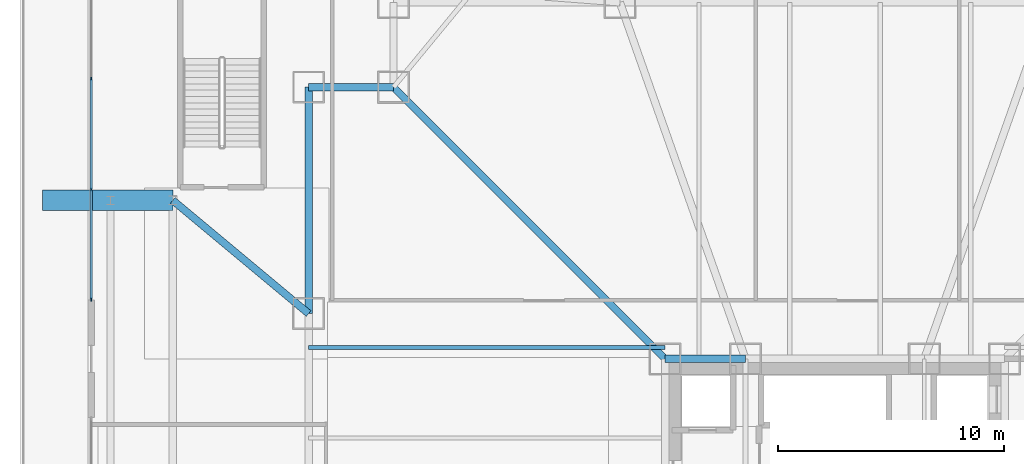
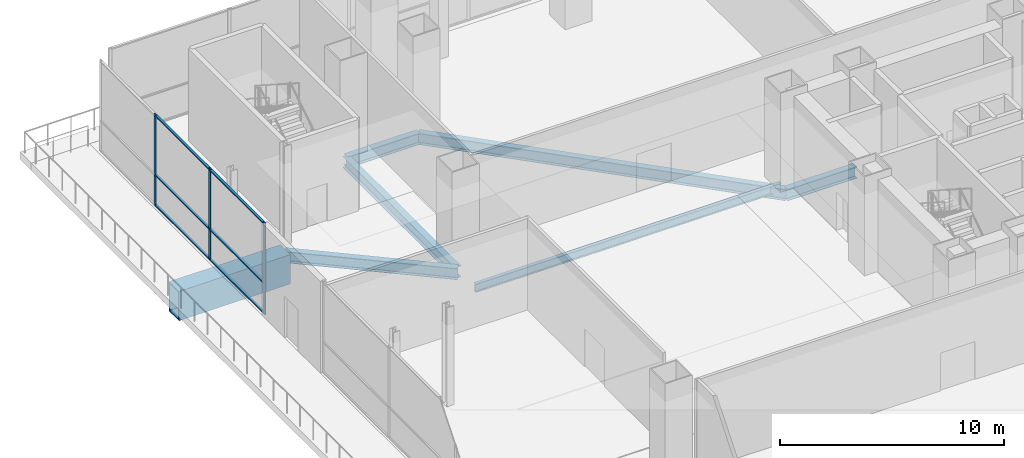
# One storey, part 12 of 36: 9 members, 7 beams, 1 element without a shape of its own.
"""IFC4 building model written with IfcOpenShell, lengths in metres."""

from ifc_helpers import new_model, si_unit, direction, frame, origin, origin_2d, place, context, subcontext, project, spatial, rectangle, hollow_rectangle, i_section, extrude, material, layer, layer_set, material_profile, profile_set, type_object, element, aggregate, save


model = new_model("IFC4")

# Units and contexts
model_context = context("Model", 3, precision=1e-05, world=origin(), true_north=direction((0.0, 1.0)))
body_context = subcontext(model_context, "Body", "Model", "MODEL_VIEW")
ifc_project = project(units=[si_unit("LENGTHUNIT", "METRE"), si_unit("AREAUNIT", "SQUARE_METRE"), si_unit("VOLUMEUNIT", "CUBIC_METRE"), si_unit("PLANEANGLEUNIT", "RADIAN"), si_unit("MASSUNIT", "GRAM", prefix="KILO")], contexts=[model_context])

# Site, building, storey
site_placement = place(None, origin())
site = spatial("IfcSite", under=ifc_project, at=site_placement, CompositionType="ELEMENT")
building_placement = place(site_placement, origin())
building = spatial("IfcBuilding", under=site, at=building_placement, Name="Trevonay Congress Spire", CompositionType="ELEMENT")
storey_placement = place(building_placement, frame((0.0, 0.0, 16.199951171875)))
storey = spatial("IfcBuildingStorey", under=building, at=storey_placement, Name="L03", CompositionType="ELEMENT", Elevation=16.199951171875)

# Beams
ifc_material_1 = material(Name="Steel ASTM A572 Grade 50", Category="steel")
ifc_material_profile_1 = material_profile(ifc_material_1, i_section(OverallWidth=0.324951171875, OverallDepth=0.615966796875, WebThickness=0.013916015625, FlangeThickness=0.021484375, FilletRadius=0.01806640625, at=origin_2d()), Name="W610x174")
ifc_profile_set_1 = profile_set([ifc_material_profile_1], Name="Steel ASTM A572 Grade 50")
beam_type_1 = type_object("IfcBeamType", Name="BM-GIRD-W610X174", PredefinedType="BEAM", material=ifc_profile_set_1)
beam_1_placement = place(storey_placement, frame((-23.25, 9.5, -0.7080078125), z_axis=(0.0, 1.0, 0.0), x_axis=(-1.0, 0.0, 0.0)))
element("IfcBeam", 1, at=beam_1_placement, inside=storey, type_object=beam_type_1, Name="L03 structural beam BM-L03-MW3", PredefinedType="BEAM", context=body_context, shape_type="SweptSolid", body=[
    extrude(i_section(OverallWidth=0.324951171875, OverallDepth=0.615966796875, WebThickness=0.013916015625, FlangeThickness=0.021484375, FilletRadius=0.01806640625, at=origin_2d()), origin(), (0.0, 0.0, 1.0), 10.0),
])
beam_2_placement = place(storey_placement, frame((-23.25, 19.5, -0.7080078125), z_axis=(1.0, 0.0, 0.0), x_axis=(0.0, 1.0, 0.0)))
element("IfcBeam", 2, at=beam_2_placement, inside=storey, type_object=beam_type_1, Name="L03 structural beam BM-L03-CWN", PredefinedType="BEAM", context=body_context, shape_type="SweptSolid", body=[
    extrude(i_section(OverallWidth=0.324951171875, OverallDepth=0.615966796875, WebThickness=0.013916015625, FlangeThickness=0.021484375, FilletRadius=0.01806640625, at=origin_2d()), origin(), (0.0, 0.0, 1.0), 3.75),
])
beam_3_placement = place(storey_placement, frame((-7.5, 7.5, -0.7080078125), z_axis=(-0.707106781187, 0.707106781187, 0.0), x_axis=(-0.707106781187, -0.707106781187, 0.0)))
element("IfcBeam", 3, at=beam_3_placement, inside=storey, type_object=beam_type_1, Name="L03 structural beam BM-L03-RAD-NW", PredefinedType="BEAM", context=body_context, shape_type="SweptSolid", body=[
    extrude(i_section(OverallWidth=0.324951171875, OverallDepth=0.615966796875, WebThickness=0.013916015625, FlangeThickness=0.021484375, FilletRadius=0.01806640625, at=origin_2d()), origin(), (0.0, 0.0, 1.0), 16.970458984375),
])
beam_4_placement = place(storey_placement, frame((-23.25, 9.5, -0.7080078125), z_axis=(-0.768221279597, 0.640184399664, 0.0), x_axis=(-0.640184399664, -0.768221279597, 0.0)))
element("IfcBeam", 4, at=beam_4_placement, inside=storey, type_object=beam_type_1, Name="L03 structural beam BM-L03-POD-WT2", PredefinedType="BEAM", context=body_context, shape_type="SweptSolid", body=[
    extrude(i_section(OverallWidth=0.324951171875, OverallDepth=0.615966796875, WebThickness=0.013916015625, FlangeThickness=0.021484375, FilletRadius=0.01806640625, at=origin_2d()), origin(), (0.0, 0.0, 1.0), 7.810302734375),
])
ifc_material_profile_2 = material_profile(ifc_material_1, i_section(OverallWidth=0.3291015625, OverallDepth=0.635009765625, WebThickness=0.017822265625, FlangeThickness=0.031005859375, FilletRadius=0.01806640625, at=origin_2d()), Name="W610x241")
ifc_profile_set_2 = profile_set([ifc_material_profile_2], Name="Steel ASTM A572 Grade 50")
beam_type_2 = type_object("IfcBeamType", Name="BM-GIRD-W610X241", PredefinedType="BEAM", material=ifc_profile_set_2)
beam_5_placement = place(storey_placement, frame((-7.5, 7.5, -0.717529296875), z_axis=(1.0, 0.0, 0.0), x_axis=(0.0, 1.0, 0.0)))
element("IfcBeam", 5, at=beam_5_placement, inside=storey, type_object=beam_type_2, Name="L03 structural beam BM-L03-CR-N1", PredefinedType="BEAM", context=body_context, shape_type="SweptSolid", body=[
    extrude(i_section(OverallWidth=0.3291015625, OverallDepth=0.635009765625, WebThickness=0.017822265625, FlangeThickness=0.031005859375, FilletRadius=0.01806640625, at=origin_2d()), origin(), (0.0, 0.0, 1.0), 3.550048828125),
])
ifc_material_profile_3 = material_profile(ifc_material_1, hollow_rectangle(XDim=0.89990234375, YDim=1.60009765625, WallThickness=0.06005859375, at=origin_2d()), Name="BOX 1600x900x60")
ifc_profile_set_3 = profile_set([ifc_material_profile_3], Name="Steel ASTM A572 Grade 50")
beam_type_3 = type_object("IfcBeamType", Name="BM-XFER-BOX1600", PredefinedType="BEAM", material=ifc_profile_set_3)
beam_6_placement = place(storey_placement, frame((-29.25, 14.5, -1.199951171875), z_axis=(-1.0, 0.0, 0.0), x_axis=(0.0, -1.0, 0.0)))
element("IfcBeam", 6, at=beam_6_placement, inside=storey, type_object=beam_type_3, Name="L03 structural beam BM-L03-EXW-N", PredefinedType="BEAM", context=body_context, shape_type="SweptSolid", body=[
    extrude(hollow_rectangle(XDim=0.89990234375, YDim=1.60009765625, WallThickness=0.06005859375, at=origin_2d()), origin(), (0.0, 0.0, 1.0), 5.75),
])

# Curtain wall, members
ifc_material_2 = material(Name="Pale Anodised Aluminium EN AW-6063-T6", Category="aluminium")
ifc_layer = layer(ifc_material_2, 0.179931640625, Name="Pale Anodised Aluminium EN AW-6063-T6")
ifc_layer_set = layer_set([ifc_layer], Name="Pale Anodised Aluminium EN AW-6063-T6")
curtain_wall_type = type_object("IfcCurtainWallType", Name="CW-SYS01-PODIUM-PALE-METAL", PredefinedType="NOTDEFINED", material=ifc_layer_set)
curtain_wall_placement = place(storey_placement, origin())
curtain_wall = element("IfcCurtainWall", 7, at=curtain_wall_placement, inside=storey, type_object=curtain_wall_type, Name="L03 W2 podium curtain wall", PredefinedType="NOTDEFINED")
ifc_material_profile_4 = material_profile(ifc_material_2, rectangle(XDim=0.06005859375, YDim=0.159912109375, at=origin_2d()), Name="CW-MULLION-160-ALUMINIUM")
ifc_profile_set_4 = profile_set([ifc_material_profile_4], Name="Pale Anodised Aluminium EN AW-6063-T6")
member_type_1 = type_object("IfcMemberType", Name="CW-MULLION-160-ALUMINIUM", PredefinedType="MULLION", material=ifc_profile_set_4)
member_1_placement = place(storey_placement, frame((-32.85009765625, 10.1298828125, 0.0), z_axis=(0.0, 0.0, 1.0), x_axis=(-1.0, 0.0, 0.0)))
member_1 = element("IfcMember", 8, at=member_1_placement, type_object=member_type_1, Name="CW01 mullion 1", PredefinedType="MULLION", context=body_context, shape_type="SweptSolid", body=[
    extrude(rectangle(XDim=0.06005859375, YDim=0.159912109375, at=origin_2d()), origin(), (0.0, 0.0, 1.0), 5.0),
])
member_2_placement = place(storey_placement, frame((-32.85009765625, 14.9833984375, 0.0), z_axis=(0.0, 0.0, 1.0), x_axis=(-1.0, 0.0, 0.0)))
member_2 = element("IfcMember", 9, at=member_2_placement, type_object=member_type_1, Name="CW01 mullion 2", PredefinedType="MULLION", context=body_context, shape_type="SweptSolid", body=[
    extrude(rectangle(XDim=0.06005859375, YDim=0.159912109375, at=origin_2d()), origin(), (0.0, 0.0, 1.0), 5.0),
])
member_3_placement = place(storey_placement, frame((-32.85009765625, 19.86669921875, 0.0), z_axis=(0.0, 0.0, 1.0), x_axis=(-1.0, 0.0, 0.0)))
member_3 = element("IfcMember", 10, at=member_3_placement, type_object=member_type_1, Name="CW01 mullion 3", PredefinedType="MULLION", context=body_context, shape_type="SweptSolid", body=[
    extrude(rectangle(XDim=0.06005859375, YDim=0.159912109375, at=origin_2d()), origin(), (0.0, 0.0, 1.0), 5.0),
])
ifc_material_profile_5 = material_profile(ifc_material_2, rectangle(XDim=0.1201171875, YDim=0.06005859375, at=origin_2d()), Name="CW-TRANSOM-120-ALUMINIUM")
ifc_profile_set_5 = profile_set([ifc_material_profile_5], Name="Pale Anodised Aluminium EN AW-6063-T6")
member_type_2 = type_object("IfcMemberType", Name="CW-TRANSOM-120-ALUMINIUM", PredefinedType="USERDEFINED", material=ifc_profile_set_5)
member_4_placement = place(storey_placement, frame((-32.85009765625, 10.159912109375, 0.06005859375), z_axis=(0.0, 1.0, 0.0), x_axis=(-1.0, 0.0, 0.0)))
member_4 = element("IfcMember", 11, at=member_4_placement, type_object=member_type_2, Name="CW01 transom 1.1", ObjectType="TRANSOM", PredefinedType="USERDEFINED", context=body_context, shape_type="SweptSolid", body=[
    extrude(rectangle(XDim=0.1201171875, YDim=0.06005859375, at=origin_2d()), origin(), (0.0, 0.0, 1.0), 4.79345703125),
])
member_5_placement = place(storey_placement, frame((-32.85009765625, 10.159912109375, 1.699951171875), z_axis=(0.0, 1.0, 0.0), x_axis=(-1.0, 0.0, 0.0)))
member_5 = element("IfcMember", 12, at=member_5_placement, type_object=member_type_2, Name="CW01 transom 1.2", ObjectType="TRANSOM", PredefinedType="USERDEFINED", context=body_context, shape_type="SweptSolid", body=[
    extrude(rectangle(XDim=0.1201171875, YDim=0.06005859375, at=origin_2d()), origin(), (0.0, 0.0, 1.0), 4.79345703125),
])
member_6_placement = place(storey_placement, frame((-32.85009765625, 10.159912109375, 4.93994140625), z_axis=(0.0, 1.0, 0.0), x_axis=(-1.0, 0.0, 0.0)))
member_6 = element("IfcMember", 13, at=member_6_placement, type_object=member_type_2, Name="CW01 transom 1.3", ObjectType="TRANSOM", PredefinedType="USERDEFINED", context=body_context, shape_type="SweptSolid", body=[
    extrude(rectangle(XDim=0.1201171875, YDim=0.06005859375, at=origin_2d()), origin(), (0.0, 0.0, 1.0), 4.79345703125),
])
member_7_placement = place(storey_placement, frame((-32.85009765625, 15.013427734375, 0.06005859375), z_axis=(0.0, 1.0, 0.0), x_axis=(-1.0, 0.0, 0.0)))
member_7 = element("IfcMember", 14, at=member_7_placement, type_object=member_type_2, Name="CW01 transom 2.1", ObjectType="TRANSOM", PredefinedType="USERDEFINED", context=body_context, shape_type="SweptSolid", body=[
    extrude(rectangle(XDim=0.1201171875, YDim=0.06005859375, at=origin_2d()), origin(), (0.0, 0.0, 1.0), 4.8232421875),
])
member_8_placement = place(storey_placement, frame((-32.85009765625, 15.013427734375, 1.699951171875), z_axis=(0.0, 1.0, 0.0), x_axis=(-1.0, 0.0, 0.0)))
member_8 = element("IfcMember", 15, at=member_8_placement, type_object=member_type_2, Name="CW01 transom 2.2", ObjectType="TRANSOM", PredefinedType="USERDEFINED", context=body_context, shape_type="SweptSolid", body=[
    extrude(rectangle(XDim=0.1201171875, YDim=0.06005859375, at=origin_2d()), origin(), (0.0, 0.0, 1.0), 4.8232421875),
])
member_9_placement = place(storey_placement, frame((-32.85009765625, 15.013427734375, 4.93994140625), z_axis=(0.0, 1.0, 0.0), x_axis=(-1.0, 0.0, 0.0)))
member_9 = element("IfcMember", 16, at=member_9_placement, type_object=member_type_2, Name="CW01 transom 2.3", ObjectType="TRANSOM", PredefinedType="USERDEFINED", context=body_context, shape_type="SweptSolid", body=[
    extrude(rectangle(XDim=0.1201171875, YDim=0.06005859375, at=origin_2d()), origin(), (0.0, 0.0, 1.0), 4.8232421875),
])
aggregate(curtain_wall, [member_1, member_2, member_3, member_4, member_5, member_6, member_7, member_8, member_9])

# Beam
ifc_material_profile_6 = material_profile(ifc_material_1, i_section(OverallWidth=0.18994140625, OverallDepth=0.45703125, WebThickness=0.009033203125, FlangeThickness=0.014404296875, FilletRadius=0.013916015625, at=origin_2d()), Name="W460x74")
ifc_profile_set_6 = profile_set([ifc_material_profile_6], Name="Steel ASTM A572 Grade 50")
beam_type_4 = type_object("IfcBeamType", Name="JS-COMP-W460X74", PredefinedType="JOIST", material=ifc_profile_set_6)
beam_7_placement = place(storey_placement, frame((-23.25, 8.0, -0.62841796875), z_axis=(1.0, 0.0, 0.0), x_axis=(0.0, 1.0, 0.0)))
element("IfcBeam", 17, at=beam_7_placement, inside=storey, type_object=beam_type_4, Name="L03 structural beam JS-L03-WH4", PredefinedType="JOIST", context=body_context, shape_type="SweptSolid", body=[
    extrude(i_section(OverallWidth=0.18994140625, OverallDepth=0.45703125, WebThickness=0.009033203125, FlangeThickness=0.014404296875, FilletRadius=0.013916015625, at=origin_2d()), origin(), (0.0, 0.0, 1.0), 15.75),
])

save(model, "model.ifc")
